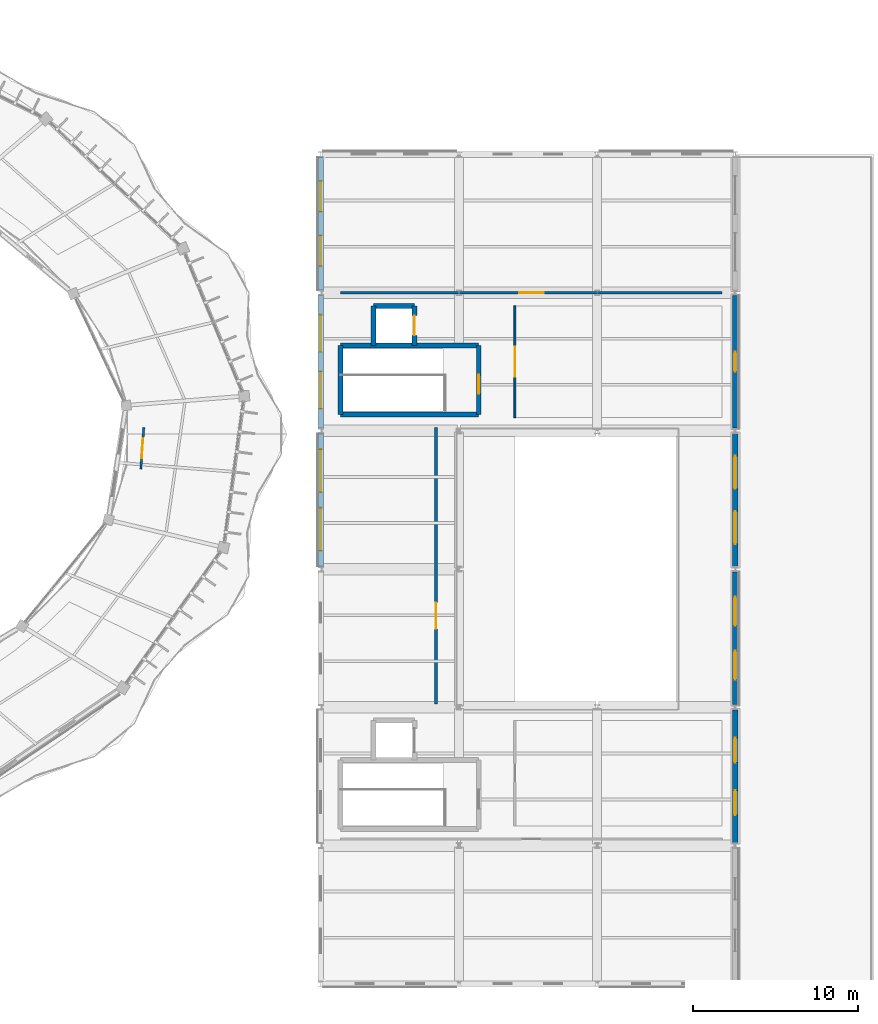
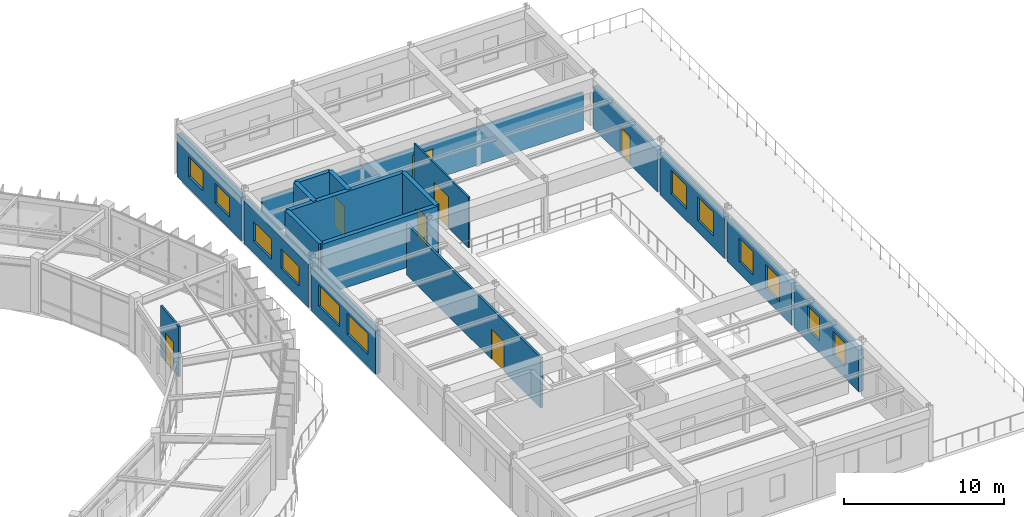
# One storey, part 96 of 114: 18 walls, 12 windows, 7 doors, 19 openings.
"""IFC4 building model written with IfcOpenShell, lengths in metres."""

from ifc_helpers import new_model, si_unit, direction, frame, frame_2d, origin, place, context, subcontext, project, spatial, rectangle, extrude, material, layer, layer_set, type_object, element, fill, save


model = new_model("IFC4")

# Units and contexts
model_context = context("Model", 3, precision=1e-05, world=origin(), true_north=direction((0.0, 1.0)))
body_context = subcontext(model_context, "Body", "Model", "MODEL_VIEW")
ifc_project = project(units=[si_unit("LENGTHUNIT", "METRE"), si_unit("AREAUNIT", "SQUARE_METRE"), si_unit("VOLUMEUNIT", "CUBIC_METRE"), si_unit("PLANEANGLEUNIT", "RADIAN"), si_unit("MASSUNIT", "GRAM", prefix="KILO"), si_unit("THERMODYNAMICTEMPERATUREUNIT", "KELVIN"), si_unit("POWERUNIT", "WATT")], contexts=[model_context])

# Site, building, storey
site_placement = place(None, origin())
site = spatial("IfcSite", under=ifc_project, at=site_placement, CompositionType="ELEMENT")
building_placement = place(site_placement, origin())
building = spatial("IfcBuilding", under=site, at=building_placement, Name="Darbajah Civic Hall", CompositionType="ELEMENT")
storey_placement = place(building_placement, frame((0.0, 0.0, 13.800048828125)))
storey = spatial("IfcBuildingStorey", under=building, at=storey_placement, Name="L03", CompositionType="ELEMENT", Elevation=13.800048828125)

# Wall
ifc_material_1 = material(Name="Concrete C45/55", Category="concrete")
ifc_layer_1 = layer(ifc_material_1, 0.300048828125, Name="Concrete C45/55")
ifc_layer_set_1 = layer_set([ifc_layer_1], Name="Concrete C45/55")
wall_type_1 = type_object("IfcWallType", Name="Core Shear Wall 300mm", PredefinedType="SHEAR", material=ifc_layer_set_1)
wall_1_placement = place(storey_placement, frame((145.800048828125, 91.0, 0.0), z_axis=(0.0, 0.0, 1.0), x_axis=(1.0, 0.0, 0.0)))
element("IfcWall", 1, at=wall_1_placement, inside=storey, type_object=wall_type_1, Name="L03 core C08 shear wall S", PredefinedType="SHEAR", context=body_context, shape_type="SweptSolid", body=[
    extrude(rectangle(XDim=8.39990234375, YDim=0.300048828125, at=frame_2d((4.199951171875, 0.0))), origin(), (0.0, 0.0, 1.0), 3.919921875),
])

# Wall, opening, door
wall_2_placement = place(storey_placement, frame((154.199951171875, 91.0, 0.0), z_axis=(0.0, 0.0, 1.0), x_axis=(0.0, 1.0, 0.0)))
wall_2 = element("IfcWall", 2, at=wall_2_placement, inside=storey, type_object=wall_type_1, Name="L03 core C08 shear wall E", PredefinedType="SHEAR", context=body_context, shape_type="SweptSolid", body=[
    extrude(rectangle(XDim=4.199951171875, YDim=0.300048828125, at=frame_2d((2.10009765625, 0.0))), origin(), (0.0, 0.0, 1.0), 3.919921875),
])
opening_1_placement = place(wall_2_placement, frame((1.25, 0.0, 0.0)))
opening_1 = element("IfcOpeningElement", 3, at=opening_1_placement, cuts=wall_2, Name="Opening SD-0092", PredefinedType="OPENING", context=body_context, shape_type="SweptSolid", body=[
    extrude(rectangle(XDim=1.14990234375, YDim=2.199951171875, at=frame_2d((0.574951171875, 1.10009765625))), frame((0.0, 0.159912109375, 0.0), z_axis=(0.0, -1.0, 0.0), x_axis=(1.0, 0.0, 0.0)), (0.0, 0.0, 1.0), 0.320068359375),
])
ifc_material_2 = material(Name="Steel Rated Core Door", Category="steel")
door_type_1 = type_object("IfcDoorType", Name="Interior Door 1150x2200", OperationType="NOTDEFINED", PredefinedType="DOOR", material=ifc_material_2)
door_1_placement = place(opening_1_placement, origin())
door_1 = element("IfcDoor", 4, at=door_1_placement, inside=storey, type_object=door_type_1, Name="L03 stair ST08 fire door SD-0092", OperationType="SINGLE_SWING_LEFT", OverallHeight=2.199951171875, OverallWidth=1.14990234375, PredefinedType="DOOR", context=body_context, shape_type="SweptSolid", body=[
    extrude(rectangle(XDim=1.14990234375, YDim=2.199951171875, at=frame_2d((0.574951171875, 1.10009765625))), frame((0.0, 0.02490234375, 0.0), z_axis=(0.0, -1.0, 0.0), x_axis=(1.0, 0.0, 0.0)), (0.0, 0.0, 1.0), 0.050048828125),
])
fill(opening_1, door_1)

# Walls
wall_3_placement = place(storey_placement, frame((154.199951171875, 95.199951171875, 0.0), z_axis=(0.0, 0.0, 1.0), x_axis=(-1.0, 0.0, 0.0)))
element("IfcWall", 5, at=wall_3_placement, inside=storey, type_object=wall_type_1, Name="L03 core C08 shear wall N", PredefinedType="SHEAR", context=body_context, shape_type="SweptSolid", body=[
    extrude(rectangle(XDim=8.39990234375, YDim=0.300048828125, at=frame_2d((4.199951171875, 0.0))), origin(), (0.0, 0.0, 1.0), 3.919921875),
])
wall_4_placement = place(storey_placement, frame((145.800048828125, 95.199951171875, 0.0), z_axis=(0.0, 0.0, 1.0), x_axis=(0.0, -1.0, 0.0)))
element("IfcWall", 6, at=wall_4_placement, inside=storey, type_object=wall_type_1, Name="L03 core C08 shear wall W", PredefinedType="SHEAR", context=body_context, shape_type="SweptSolid", body=[
    extrude(rectangle(XDim=4.199951171875, YDim=0.300048828125, at=frame_2d((2.10009765625, 0.0))), origin(), (0.0, 0.0, 1.0), 3.919921875),
])
wall_5_placement = place(storey_placement, frame((150.300048828125, 97.60009765625, 0.0), z_axis=(0.0, 0.0, 1.0), x_axis=(-1.0, 0.0, 0.0)))
element("IfcWall", 7, at=wall_5_placement, inside=storey, type_object=wall_type_1, Name="L03 lift PL4 shaft wall N", PredefinedType="SHEAR", context=body_context, shape_type="SweptSolid", body=[
    extrude(rectangle(XDim=2.5, YDim=0.300048828125, at=frame_2d((1.25, 0.0))), origin(), (0.0, 0.0, 1.0), 3.919921875),
])
wall_6_placement = place(storey_placement, frame((147.800048828125, 97.60009765625, 0.0), z_axis=(0.0, 0.0, 1.0), x_axis=(0.0, -1.0, 0.0)))
element("IfcWall", 8, at=wall_6_placement, inside=storey, type_object=wall_type_1, Name="L03 lift PL4 shaft wall W", PredefinedType="SHEAR", context=body_context, shape_type="SweptSolid", body=[
    extrude(rectangle(XDim=2.400146484375, YDim=0.300048828125, at=frame_2d((1.2001953125, 0.0))), origin(), (0.0, 0.0, 1.0), 3.919921875),
])

# Wall, opening, door
wall_7_placement = place(storey_placement, frame((150.300048828125, 95.199951171875, 0.0), z_axis=(0.0, 0.0, 1.0), x_axis=(0.0, 1.0, 0.0)))
wall_7 = element("IfcWall", 9, at=wall_7_placement, inside=storey, type_object=wall_type_1, Name="L03 lift PL4 shaft wall E", PredefinedType="SHEAR", context=body_context, shape_type="SweptSolid", body=[
    extrude(rectangle(XDim=2.400146484375, YDim=0.300048828125, at=frame_2d((1.2001953125, 0.0))), origin(), (0.0, 0.0, 1.0), 3.919921875),
])
opening_2_placement = place(wall_7_placement, frame((0.60009765625, 0.0, 0.0)))
opening_2 = element("IfcOpeningElement", 10, at=opening_2_placement, cuts=wall_7, Name="Opening LD-0097", PredefinedType="OPENING", context=body_context, shape_type="SweptSolid", body=[
    extrude(rectangle(XDim=1.199951171875, YDim=2.25, at=frame_2d((0.60009765625, 1.125))), frame((0.0, 0.159912109375, 0.0), z_axis=(0.0, -1.0, 0.0), x_axis=(1.0, 0.0, 0.0)), (0.0, 0.0, 1.0), 0.320068359375),
])
ifc_material_3 = material(Name="Stainless Lift Landing Door")
door_type_2 = type_object("IfcDoorType", Name="Lift Landing Door 1200x2250", OperationType="SLIDING_TO_LEFT", PredefinedType="DOOR", material=ifc_material_3)
door_2_placement = place(opening_2_placement, origin())
door_2 = element("IfcDoor", 11, at=door_2_placement, inside=storey, type_object=door_type_2, Name="L03 lift PL4 landing door LD-0097", OperationType="SLIDING_TO_LEFT", OverallHeight=2.25, OverallWidth=1.199951171875, PredefinedType="DOOR", context=body_context, shape_type="SweptSolid", body=[
    extrude(rectangle(XDim=1.199951171875, YDim=2.25, at=frame_2d((0.60009765625, 1.125))), frame((0.0, 0.02490234375, 0.0), z_axis=(0.0, -1.0, 0.0), x_axis=(1.0, 0.0, 0.0)), (0.0, 0.0, 1.0), 0.050048828125),
])
fill(opening_2, door_2)

# Wall, openings, windows
ifc_material_4 = material(Name="Qatari Desert Limestone Ashlar", Category="masonry")
ifc_layer_2 = layer(ifc_material_4, 0.340087890625, Name="Qatari Desert Limestone Ashlar")
ifc_layer_set_2 = layer_set([ifc_layer_2], Name="Qatari Desert Limestone Ashlar")
wall_type_2 = type_object("IfcWallType", Name="Exterior Wall 340mm", PredefinedType="SOLIDWALL", material=ifc_layer_set_2)
wall_8_placement = place(storey_placement, frame((169.800048828125, 64.96240234375, 0.0), z_axis=(0.0, 0.0, 1.0), x_axis=(0.0, 1.0, 0.0)))
wall_8 = element("IfcWall", 12, at=wall_8_placement, inside=storey, type_object=wall_type_2, Name="L03 exterior wall EW-340", PredefinedType="SOLIDWALL", context=body_context, shape_type="SweptSolid", body=[
    extrude(rectangle(XDim=8.0751953125, YDim=0.340087890625, at=frame_2d((4.03759765625, 0.0))), origin(), (0.0, 0.0, 1.0), 3.179931640625),
])
opening_3_placement = place(wall_8_placement, frame((1.69189453125, 0.0, 0.89990234375)))
opening_3 = element("IfcOpeningElement", 13, at=opening_3_placement, cuts=wall_8, Name="Opening WN-19", PredefinedType="OPENING", context=body_context, shape_type="SweptSolid", body=[
    extrude(rectangle(XDim=1.5, YDim=1.800048828125, at=frame_2d((0.75, 0.89990234375))), frame((0.0, 0.179931640625, 0.0), z_axis=(0.0, -1.0, 0.0), x_axis=(1.0, 0.0, 0.0)), (0.0, 0.0, 1.0), 0.360107421875),
])
opening_4_placement = place(wall_8_placement, frame((4.883544921875, 0.0, 0.89990234375)))
opening_4 = element("IfcOpeningElement", 14, at=opening_4_placement, cuts=wall_8, Name="Opening WN-19", PredefinedType="OPENING", context=body_context, shape_type="SweptSolid", body=[
    extrude(rectangle(XDim=1.5, YDim=1.800048828125, at=frame_2d((0.75, 0.89990234375))), frame((0.0, 0.179931640625, 0.0), z_axis=(0.0, -1.0, 0.0), x_axis=(1.0, 0.0, 0.0)), (0.0, 0.0, 1.0), 0.360107421875),
])
ifc_material_5 = material(Name="Low-E Solar Control Double Glazing", Category="glass")
window_type_1 = type_object("IfcWindowType", Name="Facade Window 1500x1800", PartitioningType="SINGLE_PANEL", PredefinedType="WINDOW", material=ifc_material_5)
window_1_placement = place(opening_3_placement, origin())
window_1 = element("IfcWindow", 15, at=window_1_placement, inside=storey, type_object=window_type_1, Name="L03 facade window WN-19", OverallHeight=1.800048828125, OverallWidth=1.5, PartitioningType="SINGLE_PANEL", PredefinedType="WINDOW", context=body_context, shape_type="SweptSolid", body=[
    extrude(rectangle(XDim=1.5, YDim=1.800048828125, at=frame_2d((0.75, 0.89990234375))), frame((0.0, 0.030029296875, 0.0), z_axis=(0.0, -1.0, 0.0), x_axis=(1.0, 0.0, 0.0)), (0.0, 0.0, 1.0), 0.06005859375),
])
fill(opening_3, window_1)
window_2_placement = place(opening_4_placement, origin())
window_2 = element("IfcWindow", 16, at=window_2_placement, inside=storey, type_object=window_type_1, Name="L03 facade window WN-19", OverallHeight=1.800048828125, OverallWidth=1.5, PartitioningType="SINGLE_PANEL", PredefinedType="WINDOW", context=body_context, shape_type="SweptSolid", body=[
    extrude(rectangle(XDim=1.5, YDim=1.800048828125, at=frame_2d((0.75, 0.89990234375))), frame((0.0, 0.030029296875, 0.0), z_axis=(0.0, -1.0, 0.0), x_axis=(1.0, 0.0, 0.0)), (0.0, 0.0, 1.0), 0.06005859375),
])
fill(opening_4, window_2)

wall_9_placement = place(storey_placement, frame((169.800048828125, 73.3623046875, 0.0), z_axis=(0.0, 0.0, 1.0), x_axis=(0.0, 1.0, 0.0)))
wall_9 = element("IfcWall", 17, at=wall_9_placement, inside=storey, type_object=wall_type_2, Name="L03 exterior wall EW-340", PredefinedType="SOLIDWALL", context=body_context, shape_type="SweptSolid", body=[
    extrude(rectangle(XDim=8.075439453125, YDim=0.340087890625, at=frame_2d((4.03759765625, 0.0))), origin(), (0.0, 0.0, 1.0), 3.179931640625),
])
opening_5_placement = place(wall_9_placement, frame((1.525146484375, 0.0, 0.89990234375)))
opening_5 = element("IfcOpeningElement", 18, at=opening_5_placement, cuts=wall_9, Name="Opening WN-20", PredefinedType="OPENING", context=body_context, shape_type="SweptSolid", body=[
    extrude(rectangle(XDim=1.75, YDim=1.800048828125, at=frame_2d((0.875, 0.89990234375))), frame((0.0, 0.179931640625, 0.0), z_axis=(0.0, -1.0, 0.0), x_axis=(1.0, 0.0, 0.0)), (0.0, 0.0, 1.0), 0.360107421875),
])
opening_6_placement = place(wall_9_placement, frame((4.80029296875, 0.0, 0.89990234375)))
opening_6 = element("IfcOpeningElement", 19, at=opening_6_placement, cuts=wall_9, Name="Opening WN-20", PredefinedType="OPENING", context=body_context, shape_type="SweptSolid", body=[
    extrude(rectangle(XDim=1.75, YDim=1.800048828125, at=frame_2d((0.875, 0.89990234375))), frame((0.0, 0.179931640625, 0.0), z_axis=(0.0, -1.0, 0.0), x_axis=(1.0, 0.0, 0.0)), (0.0, 0.0, 1.0), 0.360107421875),
])
window_type_2 = type_object("IfcWindowType", Name="Facade Window 1750x1800", PartitioningType="DOUBLE_PANEL_VERTICAL", PredefinedType="WINDOW", material=ifc_material_5)
window_3_placement = place(opening_5_placement, origin())
window_3 = element("IfcWindow", 20, at=window_3_placement, inside=storey, type_object=window_type_2, Name="L03 facade window WN-20", OverallHeight=1.800048828125, OverallWidth=1.75, PartitioningType="SINGLE_PANEL", PredefinedType="WINDOW", context=body_context, shape_type="SweptSolid", body=[
    extrude(rectangle(XDim=1.75, YDim=1.800048828125, at=frame_2d((0.875, 0.89990234375))), frame((0.0, 0.030029296875, 0.0), z_axis=(0.0, -1.0, 0.0), x_axis=(1.0, 0.0, 0.0)), (0.0, 0.0, 1.0), 0.06005859375),
])
fill(opening_5, window_3)
window_4_placement = place(opening_6_placement, origin())
window_4 = element("IfcWindow", 21, at=window_4_placement, inside=storey, type_object=window_type_2, Name="L03 facade window WN-20", OverallHeight=1.800048828125, OverallWidth=1.75, PartitioningType="SINGLE_PANEL", PredefinedType="WINDOW", context=body_context, shape_type="SweptSolid", body=[
    extrude(rectangle(XDim=1.75, YDim=1.800048828125, at=frame_2d((0.875, 0.89990234375))), frame((0.0, 0.030029296875, 0.0), z_axis=(0.0, -1.0, 0.0), x_axis=(1.0, 0.0, 0.0)), (0.0, 0.0, 1.0), 0.06005859375),
])
fill(opening_6, window_4)

wall_10_placement = place(storey_placement, frame((169.800048828125, 81.76220703125, 0.0), z_axis=(0.0, 0.0, 1.0), x_axis=(0.0, 1.0, 0.0)))
wall_10 = element("IfcWall", 22, at=wall_10_placement, inside=storey, type_object=wall_type_2, Name="L03 exterior wall EW-340", PredefinedType="SOLIDWALL", context=body_context, shape_type="SweptSolid", body=[
    extrude(rectangle(XDim=8.075439453125, YDim=0.340087890625, at=frame_2d((4.03759765625, 0.0))), origin(), (0.0, 0.0, 1.0), 3.179931640625),
])
opening_7_placement = place(wall_10_placement, frame((1.3583984375, 0.0, 0.89990234375)))
opening_7 = element("IfcOpeningElement", 23, at=opening_7_placement, cuts=wall_10, Name="Opening WN-21", PredefinedType="OPENING", context=body_context, shape_type="SweptSolid", body=[
    extrude(rectangle(XDim=2.0, YDim=1.800048828125, at=frame_2d((1.0, 0.89990234375))), frame((0.0, 0.179931640625, 0.0), z_axis=(0.0, -1.0, 0.0), x_axis=(1.0, 0.0, 0.0)), (0.0, 0.0, 1.0), 0.360107421875),
])
opening_8_placement = place(wall_10_placement, frame((4.716796875, 0.0, 0.89990234375)))
opening_8 = element("IfcOpeningElement", 24, at=opening_8_placement, cuts=wall_10, Name="Opening WN-21", PredefinedType="OPENING", context=body_context, shape_type="SweptSolid", body=[
    extrude(rectangle(XDim=2.0, YDim=1.800048828125, at=frame_2d((1.0, 0.89990234375))), frame((0.0, 0.179931640625, 0.0), z_axis=(0.0, -1.0, 0.0), x_axis=(1.0, 0.0, 0.0)), (0.0, 0.0, 1.0), 0.360107421875),
])
window_type_3 = type_object("IfcWindowType", Name="Facade Window 2000x1800", PartitioningType="DOUBLE_PANEL_VERTICAL", PredefinedType="WINDOW", material=ifc_material_5)
window_5_placement = place(opening_7_placement, origin())
window_5 = element("IfcWindow", 25, at=window_5_placement, inside=storey, type_object=window_type_3, Name="L03 facade window WN-21", OverallHeight=1.800048828125, OverallWidth=2.0, PartitioningType="SINGLE_PANEL", PredefinedType="WINDOW", context=body_context, shape_type="SweptSolid", body=[
    extrude(rectangle(XDim=2.0, YDim=1.800048828125, at=frame_2d((1.0, 0.89990234375))), frame((0.0, 0.030029296875, 0.0), z_axis=(0.0, -1.0, 0.0), x_axis=(1.0, 0.0, 0.0)), (0.0, 0.0, 1.0), 0.06005859375),
])
fill(opening_7, window_5)
window_6_placement = place(opening_8_placement, origin())
window_6 = element("IfcWindow", 26, at=window_6_placement, inside=storey, type_object=window_type_3, Name="L03 facade window WN-21", OverallHeight=1.800048828125, OverallWidth=2.0, PartitioningType="SINGLE_PANEL", PredefinedType="WINDOW", context=body_context, shape_type="SweptSolid", body=[
    extrude(rectangle(XDim=2.0, YDim=1.800048828125, at=frame_2d((1.0, 0.89990234375))), frame((0.0, 0.030029296875, 0.0), z_axis=(0.0, -1.0, 0.0), x_axis=(1.0, 0.0, 0.0)), (0.0, 0.0, 1.0), 0.06005859375),
])
fill(opening_8, window_6)

# Wall, opening, door
wall_11_placement = place(storey_placement, frame((169.800048828125, 90.162353515625, 0.0), z_axis=(0.0, 0.0, 1.0), x_axis=(0.0, 1.0, 0.0)))
wall_11 = element("IfcWall", 27, at=wall_11_placement, inside=storey, type_object=wall_type_2, Name="L03 exterior wall EW-340", PredefinedType="SOLIDWALL", context=body_context, shape_type="SweptSolid", body=[
    extrude(rectangle(XDim=8.075439453125, YDim=0.340087890625, at=frame_2d((4.03759765625, 0.0))), origin(), (0.0, 0.0, 1.0), 3.179931640625),
])
opening_9_placement = place(wall_11_placement, frame((3.437744140625, 0.0, 0.0)))
opening_9 = element("IfcOpeningElement", 28, at=opening_9_placement, cuts=wall_11, Name="Opening E-014", PredefinedType="OPENING", context=body_context, shape_type="SweptSolid", body=[
    extrude(rectangle(XDim=1.199951171875, YDim=2.199951171875, at=frame_2d((0.60009765625, 1.10009765625))), frame((0.0, 0.179931640625, 0.0), z_axis=(0.0, -1.0, 0.0), x_axis=(1.0, 0.0, 0.0)), (0.0, 0.0, 1.0), 0.360107421875),
])
ifc_material_6 = material(Name="Anodised Bronze Aluminium and Laminated Glass", Category="aluminium")
door_type_3 = type_object("IfcDoorType", Name="Exterior Door 1200x2200", OperationType="NOTDEFINED", PredefinedType="DOOR", material=ifc_material_6)
door_3_placement = place(opening_9_placement, frame((1.199951171875, 0.0, 0.0), z_axis=(0.0, 0.0, 1.0), x_axis=(-1.0, 0.0, 0.0)))
door_3 = element("IfcDoor", 29, at=door_3_placement, inside=storey, type_object=door_type_3, Name="Waterfront Reading Terrace Door E-014", OperationType="SINGLE_SWING_RIGHT", OverallHeight=2.199951171875, OverallWidth=1.199951171875, PredefinedType="DOOR", context=body_context, shape_type="SweptSolid", body=[
    extrude(rectangle(XDim=1.199951171875, YDim=2.199951171875, at=frame_2d((0.60009765625, 1.10009765625))), frame((0.0, 0.02490234375, 0.0), z_axis=(0.0, -1.0, 0.0), x_axis=(1.0, 0.0, 0.0)), (0.0, 0.0, 1.0), 0.050048828125),
])
fill(opening_9, door_3)

# Wall, openings, windows
wall_12_placement = place(storey_placement, frame((144.60009765625, 106.6376953125, 0.0), z_axis=(0.0, 0.0, 1.0), x_axis=(0.0, -1.0, 0.0)))
wall_12 = element("IfcWall", 30, at=wall_12_placement, inside=storey, type_object=wall_type_2, Name="L03 exterior wall EW-340", PredefinedType="SOLIDWALL", context=body_context, shape_type="SweptSolid", body=[
    extrude(rectangle(XDim=8.075439453125, YDim=0.340087890625, at=frame_2d((4.03759765625, 0.0))), origin(), (0.0, 0.0, 1.0), 3.280029296875),
])
opening_10_placement = place(wall_12_placement, frame((1.45849609375, 0.0, 0.89990234375)))
opening_10 = element("IfcOpeningElement", 31, at=opening_10_placement, cuts=wall_12, Name="Opening WN-26", PredefinedType="OPENING", context=body_context, shape_type="SweptSolid", body=[
    extrude(rectangle(XDim=1.85009765625, YDim=1.5, at=frame_2d((0.925048828125, 0.75))), frame((0.0, 0.179931640625, 0.0), z_axis=(0.0, -1.0, 0.0), x_axis=(1.0, 0.0, 0.0)), (0.0, 0.0, 1.0), 0.360107421875),
])
opening_11_placement = place(wall_12_placement, frame((4.766845703125, 0.0, 0.89990234375)))
opening_11 = element("IfcOpeningElement", 32, at=opening_11_placement, cuts=wall_12, Name="Opening WN-26", PredefinedType="OPENING", context=body_context, shape_type="SweptSolid", body=[
    extrude(rectangle(XDim=1.85009765625, YDim=1.5, at=frame_2d((0.925048828125, 0.75))), frame((0.0, 0.179931640625, 0.0), z_axis=(0.0, -1.0, 0.0), x_axis=(1.0, 0.0, 0.0)), (0.0, 0.0, 1.0), 0.360107421875),
])
window_type_4 = type_object("IfcWindowType", Name="Facade Window 1850x1500", PartitioningType="DOUBLE_PANEL_VERTICAL", PredefinedType="WINDOW", material=ifc_material_5)
window_7_placement = place(opening_10_placement, origin())
window_7 = element("IfcWindow", 33, at=window_7_placement, inside=storey, type_object=window_type_4, Name="L03 facade window WN-26", OverallHeight=1.5, OverallWidth=1.85009765625, PartitioningType="SINGLE_PANEL", PredefinedType="WINDOW", context=body_context, shape_type="SweptSolid", body=[
    extrude(rectangle(XDim=1.85009765625, YDim=1.5, at=frame_2d((0.925048828125, 0.75))), frame((0.0, 0.030029296875, 0.0), z_axis=(0.0, -1.0, 0.0), x_axis=(1.0, 0.0, 0.0)), (0.0, 0.0, 1.0), 0.06005859375),
])
fill(opening_10, window_7)
window_8_placement = place(opening_11_placement, origin())
window_8 = element("IfcWindow", 34, at=window_8_placement, inside=storey, type_object=window_type_4, Name="L03 facade window WN-26", OverallHeight=1.5, OverallWidth=1.85009765625, PartitioningType="SINGLE_PANEL", PredefinedType="WINDOW", context=body_context, shape_type="SweptSolid", body=[
    extrude(rectangle(XDim=1.85009765625, YDim=1.5, at=frame_2d((0.925048828125, 0.75))), frame((0.0, 0.030029296875, 0.0), z_axis=(0.0, -1.0, 0.0), x_axis=(1.0, 0.0, 0.0)), (0.0, 0.0, 1.0), 0.06005859375),
])
fill(opening_11, window_8)

wall_13_placement = place(storey_placement, frame((144.60009765625, 98.23779296875, 0.0), z_axis=(0.0, 0.0, 1.0), x_axis=(0.0, -1.0, 0.0)))
wall_13 = element("IfcWall", 35, at=wall_13_placement, inside=storey, type_object=wall_type_2, Name="L03 exterior wall EW-340", PredefinedType="SOLIDWALL", context=body_context, shape_type="SweptSolid", body=[
    extrude(rectangle(XDim=8.075439453125, YDim=0.340087890625, at=frame_2d((4.03759765625, 0.0))), origin(), (0.0, 0.0, 1.0), 3.280029296875),
])
opening_12_placement = place(wall_13_placement, frame((1.19189453125, 0.0, 0.89990234375)))
opening_12 = element("IfcOpeningElement", 36, at=opening_12_placement, cuts=wall_13, Name="Opening WN-27", PredefinedType="OPENING", context=body_context, shape_type="SweptSolid", body=[
    extrude(rectangle(XDim=2.25, YDim=1.5, at=frame_2d((1.125, 0.75))), frame((0.0, 0.179931640625, 0.0), z_axis=(0.0, -1.0, 0.0), x_axis=(1.0, 0.0, 0.0)), (0.0, 0.0, 1.0), 0.360107421875),
])
opening_13_placement = place(wall_13_placement, frame((4.633544921875, 0.0, 0.89990234375)))
opening_13 = element("IfcOpeningElement", 37, at=opening_13_placement, cuts=wall_13, Name="Opening WN-27", PredefinedType="OPENING", context=body_context, shape_type="SweptSolid", body=[
    extrude(rectangle(XDim=2.25, YDim=1.5, at=frame_2d((1.125, 0.75))), frame((0.0, 0.179931640625, 0.0), z_axis=(0.0, -1.0, 0.0), x_axis=(1.0, 0.0, 0.0)), (0.0, 0.0, 1.0), 0.360107421875),
])
window_type_5 = type_object("IfcWindowType", Name="Facade Window 2250x1500", PartitioningType="DOUBLE_PANEL_VERTICAL", PredefinedType="WINDOW", material=ifc_material_5)
window_9_placement = place(opening_12_placement, origin())
window_9 = element("IfcWindow", 38, at=window_9_placement, inside=storey, type_object=window_type_5, Name="L03 facade window WN-27", OverallHeight=1.5, OverallWidth=2.25, PartitioningType="SINGLE_PANEL", PredefinedType="WINDOW", context=body_context, shape_type="SweptSolid", body=[
    extrude(rectangle(XDim=2.25, YDim=1.5, at=frame_2d((1.125, 0.75))), frame((0.0, 0.030029296875, 0.0), z_axis=(0.0, -1.0, 0.0), x_axis=(1.0, 0.0, 0.0)), (0.0, 0.0, 1.0), 0.06005859375),
])
fill(opening_12, window_9)
window_10_placement = place(opening_13_placement, origin())
window_10 = element("IfcWindow", 39, at=window_10_placement, inside=storey, type_object=window_type_5, Name="L03 facade window WN-27", OverallHeight=1.5, OverallWidth=2.25, PartitioningType="SINGLE_PANEL", PredefinedType="WINDOW", context=body_context, shape_type="SweptSolid", body=[
    extrude(rectangle(XDim=2.25, YDim=1.5, at=frame_2d((1.125, 0.75))), frame((0.0, 0.030029296875, 0.0), z_axis=(0.0, -1.0, 0.0), x_axis=(1.0, 0.0, 0.0)), (0.0, 0.0, 1.0), 0.06005859375),
])
fill(opening_13, window_10)

wall_14_placement = place(storey_placement, frame((144.60009765625, 89.837646484375, 0.0), z_axis=(0.0, 0.0, 1.0), x_axis=(0.0, -1.0, 0.0)))
wall_14 = element("IfcWall", 40, at=wall_14_placement, inside=storey, type_object=wall_type_2, Name="L03 exterior wall EW-340", PredefinedType="SOLIDWALL", context=body_context, shape_type="SweptSolid", body=[
    extrude(rectangle(XDim=8.075439453125, YDim=0.340087890625, at=frame_2d((4.03759765625, 0.0))), origin(), (0.0, 0.0, 1.0), 3.280029296875),
])
opening_14_placement = place(wall_14_placement, frame((0.95849609375, 0.0, 0.89990234375)))
opening_14 = element("IfcOpeningElement", 41, at=opening_14_placement, cuts=wall_14, Name="Opening WN-28", PredefinedType="OPENING", context=body_context, shape_type="SweptSolid", body=[
    extrude(rectangle(XDim=2.60009765625, YDim=1.60009765625, at=frame_2d((1.300048828125, 0.800048828125))), frame((0.0, 0.179931640625, 0.0), z_axis=(0.0, -1.0, 0.0), x_axis=(1.0, 0.0, 0.0)), (0.0, 0.0, 1.0), 0.360107421875),
])
opening_15_placement = place(wall_14_placement, frame((4.516845703125, 0.0, 0.89990234375)))
opening_15 = element("IfcOpeningElement", 42, at=opening_15_placement, cuts=wall_14, Name="Opening WN-28", PredefinedType="OPENING", context=body_context, shape_type="SweptSolid", body=[
    extrude(rectangle(XDim=2.60009765625, YDim=1.60009765625, at=frame_2d((1.300048828125, 0.800048828125))), frame((0.0, 0.179931640625, 0.0), z_axis=(0.0, -1.0, 0.0), x_axis=(1.0, 0.0, 0.0)), (0.0, 0.0, 1.0), 0.360107421875),
])
window_type_6 = type_object("IfcWindowType", Name="Facade Window 2600x1600", PartitioningType="DOUBLE_PANEL_VERTICAL", PredefinedType="WINDOW", material=ifc_material_5)
window_11_placement = place(opening_14_placement, origin())
window_11 = element("IfcWindow", 43, at=window_11_placement, inside=storey, type_object=window_type_6, Name="L03 facade window WN-28", OverallHeight=1.60009765625, OverallWidth=2.60009765625, PartitioningType="SINGLE_PANEL", PredefinedType="WINDOW", context=body_context, shape_type="SweptSolid", body=[
    extrude(rectangle(XDim=2.60009765625, YDim=1.60009765625, at=frame_2d((1.300048828125, 0.800048828125))), frame((0.0, 0.030029296875, 0.0), z_axis=(0.0, -1.0, 0.0), x_axis=(1.0, 0.0, 0.0)), (0.0, 0.0, 1.0), 0.06005859375),
])
fill(opening_14, window_11)
window_12_placement = place(opening_15_placement, origin())
window_12 = element("IfcWindow", 44, at=window_12_placement, inside=storey, type_object=window_type_6, Name="L03 facade window WN-28", OverallHeight=1.60009765625, OverallWidth=2.60009765625, PartitioningType="SINGLE_PANEL", PredefinedType="WINDOW", context=body_context, shape_type="SweptSolid", body=[
    extrude(rectangle(XDim=2.60009765625, YDim=1.60009765625, at=frame_2d((1.300048828125, 0.800048828125))), frame((0.0, 0.030029296875, 0.0), z_axis=(0.0, -1.0, 0.0), x_axis=(1.0, 0.0, 0.0)), (0.0, 0.0, 1.0), 0.06005859375),
])
fill(opening_15, window_12)

# Wall, opening, door
ifc_material_7 = material(Name="Acoustic Gypsum Partition")
ifc_layer_3 = layer(ifc_material_7, 0.114990234375, Name="Acoustic Gypsum Partition")
ifc_layer_set_3 = layer_set([ifc_layer_3], Name="Acoustic Gypsum Partition")
wall_type_3 = type_object("IfcWallType", Name="Interior Partition 115mm", PredefinedType="PARTITIONING", material=ifc_layer_set_3)
wall_15_placement = place(storey_placement, frame((156.39990234375, 90.800048828125, 0.0), z_axis=(0.0, 0.0, 1.0), x_axis=(0.0, 1.0, 0.0)))
wall_15 = element("IfcWall", 45, at=wall_15_placement, inside=storey, type_object=wall_type_3, Name="L03 interior partition L03-V4-05", PredefinedType="PARTITIONING", context=body_context, shape_type="SweptSolid", body=[
    extrude(rectangle(XDim=6.800048828125, YDim=0.114990234375, at=frame_2d((3.39990234375, 0.0))), origin(), (0.0, 0.0, 1.0), 3.85986328125),
])
opening_16_placement = place(wall_15_placement, frame((2.5, 0.0, 0.0)))
opening_16 = element("IfcOpeningElement", 46, at=opening_16_placement, cuts=wall_15, Name="Opening D-0235", PredefinedType="OPENING", context=body_context, shape_type="SweptSolid", body=[
    extrude(rectangle(XDim=1.800048828125, YDim=2.39990234375, at=frame_2d((0.89990234375, 1.199951171875))), frame((0.0, 0.0673828125, 0.0), z_axis=(0.0, -1.0, 0.0), x_axis=(1.0, 0.0, 0.0)), (0.0, 0.0, 1.0), 0.135009765625),
])
ifc_material_8 = material(Name="Painted Hardwood Fire Door", Category="wood")
door_type_4 = type_object("IfcDoorType", Name="Interior Door 1800x2400", OperationType="NOTDEFINED", PredefinedType="DOOR", material=ifc_material_8)
door_4_placement = place(opening_16_placement, origin())
door_4 = element("IfcDoor", 47, at=door_4_placement, inside=storey, type_object=door_type_4, Name="L03 L03-V4-05 door D-0235", OperationType="DOUBLE_DOOR_SINGLE_SWING", OverallHeight=2.39990234375, OverallWidth=1.800048828125, PredefinedType="DOOR", context=body_context, shape_type="SweptSolid", body=[
    extrude(rectangle(XDim=1.800048828125, YDim=2.39990234375, at=frame_2d((0.89990234375, 1.199951171875))), frame((0.0, 0.02490234375, 0.0), z_axis=(0.0, -1.0, 0.0), x_axis=(1.0, 0.0, 0.0)), (0.0, 0.0, 1.0), 0.050048828125),
])
fill(opening_16, door_4)

ifc_material_9 = material(Name="Gypsum Plasterboard on Steel Stud", Category="steel")
ifc_layer_4 = layer(ifc_material_9, 0.135009765625, Name="Gypsum Plasterboard on Steel Stud")
ifc_layer_set_4 = layer_set([ifc_layer_4], Name="Gypsum Plasterboard on Steel Stud")
wall_type_4 = type_object("IfcWallType", Name="Interior Partition 135mm", PredefinedType="PARTITIONING", material=ifc_layer_set_4)
wall_16_placement = place(storey_placement, frame((133.84326171875, 90.205810546875, 0.0), z_axis=(0.0, 0.0, 1.0), x_axis=(-0.071233386631, -0.997459675691, 0.0)))
wall_16 = element("IfcWall", 48, at=wall_16_placement, inside=storey, type_object=wall_type_4, Name="L03 interior partition L03-V1-02", PredefinedType="PARTITIONING", context=body_context, shape_type="SweptSolid", body=[
    extrude(rectangle(XDim=2.53955078125, YDim=0.135009765625, at=frame_2d((1.269775390625, 0.0))), origin(), (0.0, 0.0, 1.0), 3.85986328125),
])
opening_17_placement = place(wall_16_placement, frame((0.669921875, 0.0, 0.0)))
opening_17 = element("IfcOpeningElement", 49, at=opening_17_placement, cuts=wall_16, Name="Opening D-0222", PredefinedType="OPENING", context=body_context, shape_type="SweptSolid", body=[
    extrude(rectangle(XDim=1.199951171875, YDim=2.199951171875, at=frame_2d((0.60009765625, 1.10009765625))), frame((0.0, 0.077392578125, 0.0), z_axis=(0.0, -1.0, 0.0), x_axis=(1.0, 0.0, 0.0)), (0.0, 0.0, 1.0), 0.155029296875),
])
door_type_5 = type_object("IfcDoorType", Name="Interior Door 1200x2200", OperationType="NOTDEFINED", PredefinedType="DOOR", material=ifc_material_8)
door_5_placement = place(opening_17_placement, origin())
door_5 = element("IfcDoor", 50, at=door_5_placement, inside=storey, type_object=door_type_5, Name="L03 L03-V1-02 door D-0222", OperationType="SINGLE_SWING_LEFT", OverallHeight=2.199951171875, OverallWidth=1.199951171875, PredefinedType="DOOR", context=body_context, shape_type="SweptSolid", body=[
    extrude(rectangle(XDim=1.199951171875, YDim=2.199951171875, at=frame_2d((0.60009765625, 1.10009765625))), frame((0.0, 0.02490234375, 0.0), z_axis=(0.0, -1.0, 0.0), x_axis=(1.0, 0.0, 0.0)), (0.0, 0.0, 1.0), 0.050048828125),
])
fill(opening_17, door_5)

wall_17_placement = place(storey_placement, frame((145.800048828125, 98.39990234375, 0.0), z_axis=(0.0, 0.0, 1.0), x_axis=(1.0, 0.0, 0.0)))
wall_17 = element("IfcWall", 51, at=wall_17_placement, inside=storey, type_object=wall_type_4, Name="L03 interior partition L03-V4-02", PredefinedType="PARTITIONING", context=body_context, shape_type="SweptSolid", body=[
    extrude(rectangle(XDim=23.199951171875, YDim=0.135009765625, at=frame_2d((11.60009765625, 0.0))), origin(), (0.0, 0.0, 1.0), 2.8798828125),
])
opening_18_placement = place(wall_17_placement, frame((10.85009765625, 0.0, 0.0)))
opening_18 = element("IfcOpeningElement", 52, at=opening_18_placement, cuts=wall_17, Name="Opening D-0234", PredefinedType="OPENING", context=body_context, shape_type="SweptSolid", body=[
    extrude(rectangle(XDim=1.5, YDim=2.35009765625, at=frame_2d((0.75, 1.175048828125))), frame((0.0, 0.077392578125, 0.0), z_axis=(0.0, -1.0, 0.0), x_axis=(1.0, 0.0, 0.0)), (0.0, 0.0, 1.0), 0.155029296875),
])
ifc_material_10 = material(Name="Committee Chamber Double Door")
door_type_6 = type_object("IfcDoorType", Name="Interior Door 1500x2350", OperationType="NOTDEFINED", PredefinedType="DOOR", material=ifc_material_10)
door_6_placement = place(opening_18_placement, origin())
door_6 = element("IfcDoor", 53, at=door_6_placement, inside=storey, type_object=door_type_6, Name="L03 L03-V4-02 door D-0234", OperationType="DOUBLE_DOOR_SINGLE_SWING", OverallHeight=2.35009765625, OverallWidth=1.5, PredefinedType="DOOR", context=body_context, shape_type="SweptSolid", body=[
    extrude(rectangle(XDim=1.5, YDim=2.35009765625, at=frame_2d((0.75, 1.175048828125))), frame((0.0, 0.02490234375, 0.0), z_axis=(0.0, -1.0, 0.0), x_axis=(1.0, 0.0, 0.0)), (0.0, 0.0, 1.0), 0.050048828125),
])
fill(opening_18, door_6)

ifc_layer_5 = layer(ifc_material_9, 0.159912109375, Name="Gypsum Plasterboard on Steel Stud")
ifc_layer_set_5 = layer_set([ifc_layer_5], Name="Gypsum Plasterboard on Steel Stud")
wall_type_5 = type_object("IfcWallType", Name="Interior Partition 160mm", PredefinedType="PARTITIONING", material=ifc_layer_set_5)
wall_18_placement = place(storey_placement, frame((151.60009765625, 73.39990234375, 0.0), z_axis=(0.0, 0.0, 1.0), x_axis=(0.0, 1.0, 0.0)))
wall_18 = element("IfcWall", 54, at=wall_18_placement, inside=storey, type_object=wall_type_5, Name="L03 interior partition L03-V4-03", PredefinedType="PARTITIONING", context=body_context, shape_type="SweptSolid", body=[
    extrude(rectangle(XDim=16.800048828125, YDim=0.159912109375, at=frame_2d((8.39990234375, 0.0))), origin(), (0.0, 0.0, 1.0), 3.85986328125),
])
opening_19_placement = place(wall_18_placement, frame((4.56005859375, 0.0, 0.0)))
opening_19 = element("IfcOpeningElement", 55, at=opening_19_placement, cuts=wall_18, Name="Opening D-0236", PredefinedType="OPENING", context=body_context, shape_type="SweptSolid", body=[
    extrude(rectangle(XDim=1.60009765625, YDim=2.300048828125, at=frame_2d((0.800048828125, 1.14990234375))), frame((0.0, 0.08984375, 0.0), z_axis=(0.0, -1.0, 0.0), x_axis=(1.0, 0.0, 0.0)), (0.0, 0.0, 1.0), 0.179931640625),
])
door_type_7 = type_object("IfcDoorType", Name="Interior Door 1600x2300", OperationType="NOTDEFINED", PredefinedType="DOOR", material=ifc_material_8)
door_7_placement = place(opening_19_placement, origin())
door_7 = element("IfcDoor", 56, at=door_7_placement, inside=storey, type_object=door_type_7, Name="L03 L03-V4-03 door D-0236", OperationType="DOUBLE_DOOR_SINGLE_SWING", OverallHeight=2.300048828125, OverallWidth=1.60009765625, PredefinedType="DOOR", context=body_context, shape_type="SweptSolid", body=[
    extrude(rectangle(XDim=1.60009765625, YDim=2.300048828125, at=frame_2d((0.800048828125, 1.14990234375))), frame((0.0, 0.02490234375, 0.0), z_axis=(0.0, -1.0, 0.0), x_axis=(1.0, 0.0, 0.0)), (0.0, 0.0, 1.0), 0.050048828125),
])
fill(opening_19, door_7)

save(model, "model.ifc")
